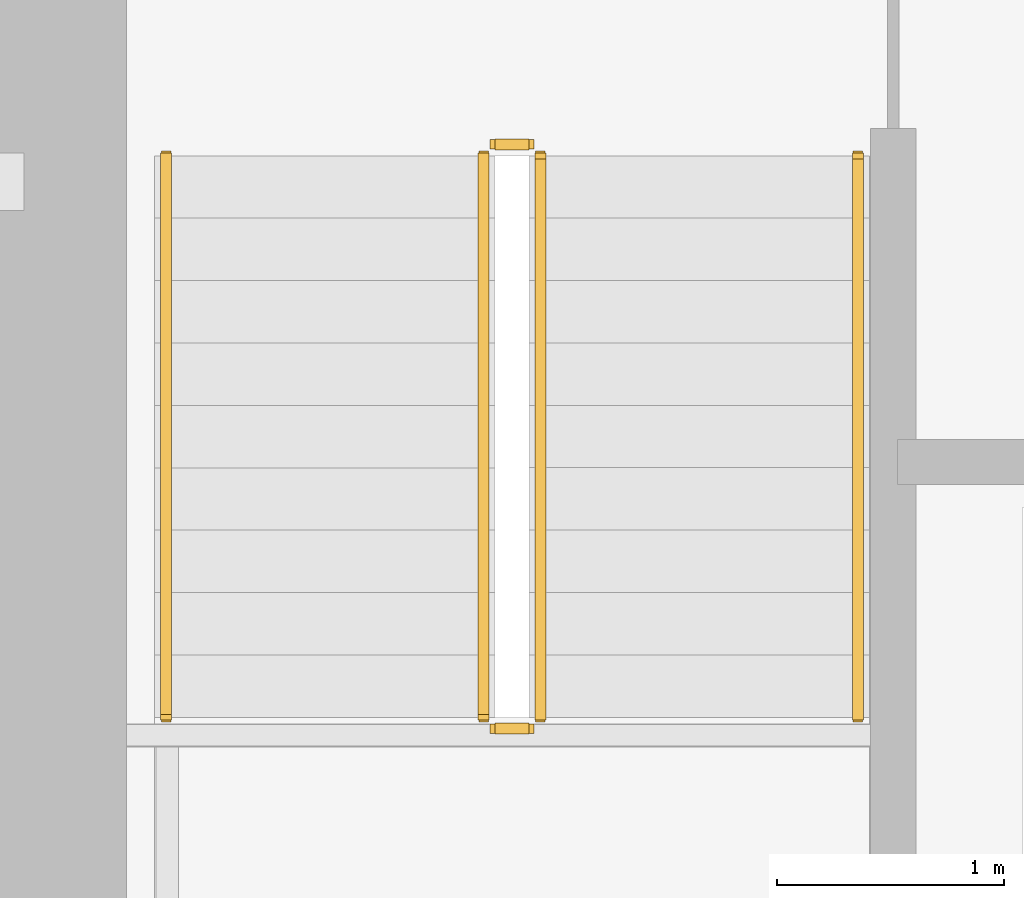
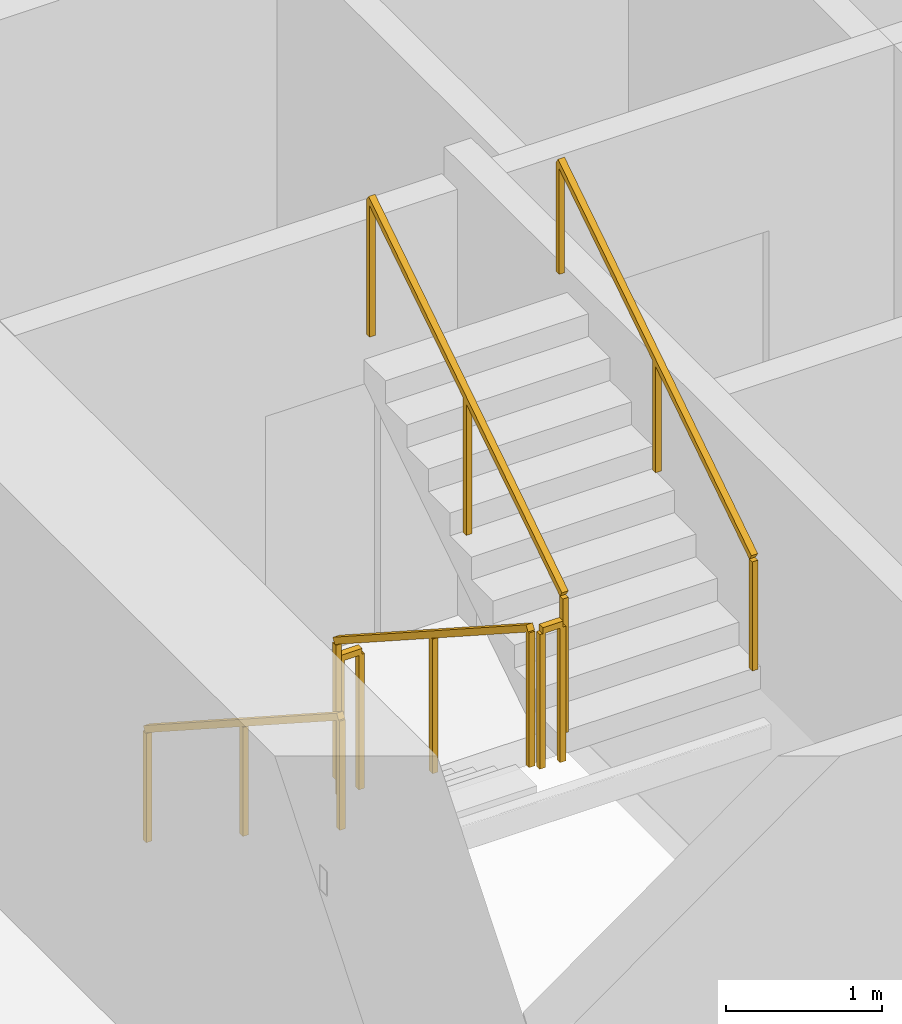
# One storey, part 10 of 12: 6 railings.
"""IFC4 building model written with IfcOpenShell, lengths in metres."""

from ifc_helpers import new_model, si_unit, direction, frame, origin, origin_2d, place, context, subcontext, project, spatial, rectangle, extrude, material, type_object, element, save


model = new_model("IFC4")

# Units and contexts
model_context = context("Model", 3, precision=1e-05, world=origin(), true_north=direction((0.0, 1.0)))
body_context = subcontext(model_context, "Body", "Model", "MODEL_VIEW")
ifc_project = project(units=[si_unit("LENGTHUNIT", "METRE"), si_unit("AREAUNIT", "SQUARE_METRE"), si_unit("VOLUMEUNIT", "CUBIC_METRE"), si_unit("PLANEANGLEUNIT", "RADIAN"), si_unit("MASSUNIT", "GRAM", prefix="KILO")], contexts=[model_context])

# Site, building, storey
site_placement = place(None, origin())
site = spatial("IfcSite", under=ifc_project, at=site_placement, CompositionType="ELEMENT")
building_placement = place(site_placement, origin())
building = spatial("IfcBuilding", under=site, at=building_placement, Name="Cinnabar Lancet Tower", CompositionType="ELEMENT")
storey_placement = place(building_placement, frame((0.0, 0.0, 28.449951171875)))
storey = spatial("IfcBuildingStorey", under=building, at=storey_placement, Name="L06", CompositionType="ELEMENT", Elevation=28.449951171875)

# Railings
ifc_material_1 = material(Name="Painted galvanized steel balustrade", Category="steel")
railing_type_1 = type_object("IfcRailingType", Name="GUARD-STAIR", PredefinedType="GUARDRAIL", material=ifc_material_1)
railing_1_placement = place(storey_placement, frame((24.97509765625, 28.39990234375, 0.177490234375)))
element("IfcRailing", 1, at=railing_1_placement, inside=storey, type_object=railing_type_1, Name="L06 ST-1 stair guard 1", PredefinedType="GUARDRAIL", context=body_context, shape_type="SweptSolid", body=[
    extrude(rectangle(XDim=0.048095703125, YDim=0.048095703125, at=origin_2d()), frame((0.0, 0.0, 1.076171875), z_axis=(0.0, -0.84014559416, 0.542360932049), x_axis=(1.0, 0.0, 0.0)), (0.0, 0.0, 1.0), 2.94580078125),
    extrude(rectangle(XDim=0.0419921875, YDim=0.0419921875, at=origin_2d()), origin(), (0.0, 0.0, 1.0), 1.052001953125),
    extrude(rectangle(XDim=0.0419921875, YDim=0.0419921875, at=origin_2d()), frame((0.0, -1.2373046875, 0.798828125)), (0.0, 0.0, 1.0), 1.052001953125),
    extrude(rectangle(XDim=0.0419921875, YDim=0.0419921875, at=origin_2d()), frame((0.0, -2.474853515625, 1.59765625)), (0.0, 0.0, 1.0), 1.052001953125),
])
railing_2_placement = place(storey_placement, frame((25.02490234375, 25.875, 1.775146484375)))
element("IfcRailing", 2, at=railing_2_placement, inside=storey, type_object=railing_type_1, Name="L06 ST-1 stair guard 2", PredefinedType="GUARDRAIL", context=body_context, shape_type="SweptSolid", body=[
    extrude(rectangle(XDim=0.048095703125, YDim=0.048095703125, at=origin_2d()), frame((0.0, 0.0, 1.076171875), z_axis=(1.0, 0.0, 0.0), x_axis=(0.0, 1.0, 0.0)), (0.0, 0.0, 1.0), 0.150146484375),
    extrude(rectangle(XDim=0.0419921875, YDim=0.0419921875, at=origin_2d()), origin(), (0.0, 0.0, 1.0), 1.052001953125),
    extrude(rectangle(XDim=0.0419921875, YDim=0.0419921875, at=origin_2d()), frame((0.150146484375, 0.0, 0.0)), (0.0, 0.0, 1.0), 1.052001953125),
])
railing_3_placement = place(storey_placement, frame((25.22509765625, 25.925048828125, 1.95263671875)))
element("IfcRailing", 3, at=railing_3_placement, inside=storey, type_object=railing_type_1, Name="L06 ST-1 stair guard 3", PredefinedType="GUARDRAIL", context=body_context, shape_type="SweptSolid", body=[
    extrude(rectangle(XDim=0.048095703125, YDim=0.048095703125, at=origin_2d()), frame((0.0, 0.0, 1.076171875), z_axis=(0.0, 0.840183358697, 0.542302428327), x_axis=(-1.0, 0.0, 0.0)), (0.0, 0.0, 1.0), 2.945556640625),
    extrude(rectangle(XDim=0.0419921875, YDim=0.0419921875, at=origin_2d()), origin(), (0.0, 0.0, 1.0), 1.052001953125),
    extrude(rectangle(XDim=0.0419921875, YDim=0.0419921875, at=origin_2d()), frame((0.0, 1.2373046875, 0.798828125)), (0.0, 0.0, 1.0), 1.052001953125),
    extrude(rectangle(XDim=0.0419921875, YDim=0.0419921875, at=origin_2d()), frame((0.0, 2.474853515625, 1.597412109375)), (0.0, 0.0, 1.0), 1.052001953125),
])
railing_4_placement = place(storey_placement, frame((25.02490234375, 28.449951171875, 0.0)))
element("IfcRailing", 4, at=railing_4_placement, inside=storey, type_object=railing_type_1, Name="L06 ST-1 stair guard 4", PredefinedType="GUARDRAIL", context=body_context, shape_type="SweptSolid", body=[
    extrude(rectangle(XDim=0.048095703125, YDim=0.048095703125, at=origin_2d()), frame((0.0, 0.0, 1.076171875), z_axis=(1.0, 0.0, 0.0), x_axis=(0.0, 1.0, 0.0)), (0.0, 0.0, 1.0), 0.150146484375),
    extrude(rectangle(XDim=0.0419921875, YDim=0.0419921875, at=origin_2d()), origin(), (0.0, 0.0, 1.0), 1.052001953125),
    extrude(rectangle(XDim=0.0419921875, YDim=0.0419921875, at=origin_2d()), frame((0.150146484375, 0.0, 0.0)), (0.0, 0.0, 1.0), 1.052001953125),
])
ifc_material_2 = material(Name="Brushed stainless steel handrail", Category="steel")
railing_type_2 = type_object("IfcRailingType", Name="HANDRAIL-STAIR", PredefinedType="HANDRAIL", material=ifc_material_2)
railing_5_placement = place(storey_placement, frame((23.574951171875, 28.39990234375, 0.177490234375)))
element("IfcRailing", 5, at=railing_5_placement, inside=storey, type_object=railing_type_2, Name="L06 ST-1 stair handrail 1", PredefinedType="HANDRAIL", context=body_context, shape_type="SweptSolid", body=[
    extrude(rectangle(XDim=0.048095703125, YDim=0.048095703125, at=origin_2d()), frame((0.0, 0.0, 0.8759765625), z_axis=(0.0, -0.84014559416, 0.542360932049), x_axis=(1.0, 0.0, 0.0)), (0.0, 0.0, 1.0), 2.94580078125),
    extrude(rectangle(XDim=0.0419921875, YDim=0.0419921875, at=origin_2d()), origin(), (0.0, 0.0, 1.0), 0.851806640625),
    extrude(rectangle(XDim=0.0419921875, YDim=0.0419921875, at=origin_2d()), frame((0.0, -1.2373046875, 0.798828125)), (0.0, 0.0, 1.0), 0.851806640625),
    extrude(rectangle(XDim=0.0419921875, YDim=0.0419921875, at=origin_2d()), frame((0.0, -2.474853515625, 1.59765625)), (0.0, 0.0, 1.0), 0.851806640625),
])
railing_6_placement = place(storey_placement, frame((26.625, 25.925048828125, 1.95263671875)))
element("IfcRailing", 6, at=railing_6_placement, inside=storey, type_object=railing_type_2, Name="L06 ST-1 stair handrail 2", PredefinedType="HANDRAIL", context=body_context, shape_type="SweptSolid", body=[
    extrude(rectangle(XDim=0.048095703125, YDim=0.048095703125, at=origin_2d()), frame((0.0, 0.0, 0.8759765625), z_axis=(0.0, 0.840183358697, 0.542302428327), x_axis=(-1.0, 0.0, 0.0)), (0.0, 0.0, 1.0), 2.945556640625),
    extrude(rectangle(XDim=0.0419921875, YDim=0.0419921875, at=origin_2d()), origin(), (0.0, 0.0, 1.0), 0.851806640625),
    extrude(rectangle(XDim=0.0419921875, YDim=0.0419921875, at=origin_2d()), frame((0.0, 1.2373046875, 0.798828125)), (0.0, 0.0, 1.0), 0.851806640625),
    extrude(rectangle(XDim=0.0419921875, YDim=0.0419921875, at=origin_2d()), frame((0.0, 2.474853515625, 1.597412109375)), (0.0, 0.0, 1.0), 0.851806640625),
])

save(model, "model.ifc")
